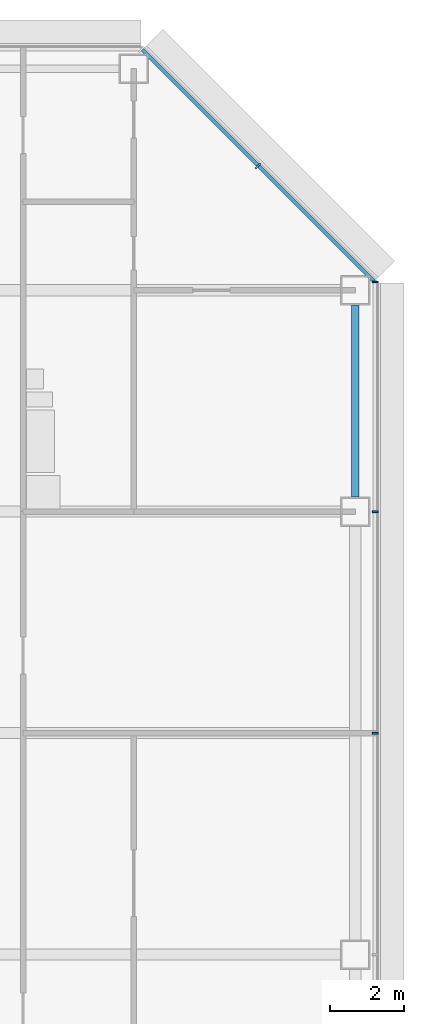
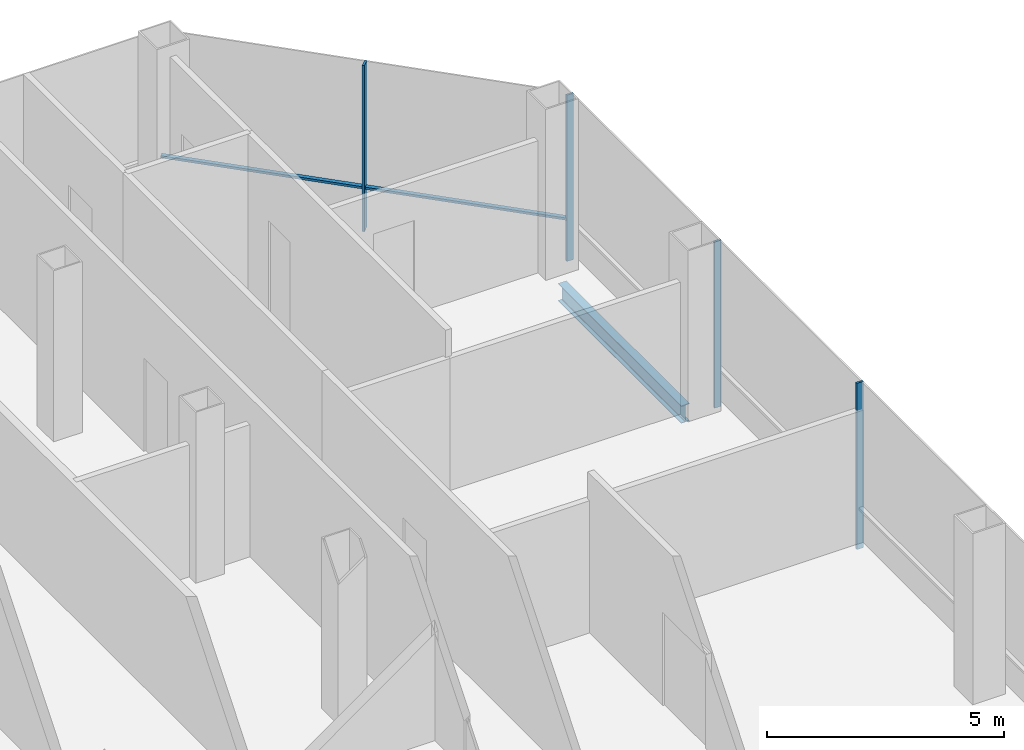
# One storey, part 17 of 28: 5 members, 1 beam, 2 elements without a shape of their own.
"""IFC4 building model written with IfcOpenShell, lengths in metres."""

from ifc_helpers import new_model, si_unit, direction, frame, origin, origin_2d, place, context, subcontext, project, spatial, rectangle, i_section, extrude, material, material_profile, profile_set, type_object, element, aggregate, save


model = new_model("IFC4")

# Units and contexts
model_context = context("Model", 3, precision=1e-05, world=origin(), true_north=direction((0.0, 1.0)))
body_context = subcontext(model_context, "Body", "Model", "MODEL_VIEW")
ifc_project = project(units=[si_unit("LENGTHUNIT", "METRE"), si_unit("AREAUNIT", "SQUARE_METRE"), si_unit("VOLUMEUNIT", "CUBIC_METRE"), si_unit("PLANEANGLEUNIT", "RADIAN"), si_unit("MASSUNIT", "GRAM", prefix="KILO")], contexts=[model_context])

# Site, building, storey
site_placement = place(None, origin())
site = spatial("IfcSite", under=ifc_project, at=site_placement, CompositionType="ELEMENT")
building_placement = place(site_placement, origin())
building = spatial("IfcBuilding", under=site, at=building_placement, Name="Sorahane Residences", CompositionType="ELEMENT")
storey_placement = place(building_placement, frame((0.0, 0.0, 134.0)))
storey = spatial("IfcBuildingStorey", under=building, at=storey_placement, Name="L30", CompositionType="ELEMENT", Elevation=134.0)

# Curtain wall, members
ifc_material_1 = material(Name="Dark low-e glass and black anodised aluminium", Category="aluminium")
curtain_wall_type_1 = type_object("IfcCurtainWallType", Name="Curtain wall CW-1 Typical unitised wall", PredefinedType="NOTDEFINED", material=ifc_material_1)
curtain_wall_1_placement = place(storey_placement, origin())
curtain_wall_1 = element("IfcCurtainWall", 1, at=curtain_wall_1_placement, inside=storey, type_object=curtain_wall_type_1, Name="CW-1 curtain wall L30 E2", PredefinedType="NOTDEFINED")
ifc_material_2 = material(Name="Black anodised aluminium", Category="aluminium")
ifc_material_profile_1 = material_profile(ifc_material_2, rectangle(XDim=0.159912109375, YDim=0.050048828125, at=origin_2d()), Name="Curtain wall mullion CW-1 black anodised aluminium 50x160")
ifc_profile_set_1 = profile_set([ifc_material_profile_1], Name="Black anodised aluminium")
member_type_1 = type_object("IfcMemberType", Name="Curtain wall mullion CW-1 black anodised aluminium 50x160", PredefinedType="MULLION", material=ifc_profile_set_1)
member_1_placement = place(storey_placement, frame((60.5400390625, 30.0, -0.179931640625), z_axis=(0.0, 0.0, 1.0), x_axis=(1.0, 0.0, 0.0)))
member_1 = element("IfcMember", 2, at=member_1_placement, type_object=member_type_1, Name="CW-1 mullion L30 E2.4", PredefinedType="MULLION", context=body_context, shape_type="SweptSolid", body=[
    extrude(rectangle(XDim=0.159912109375, YDim=0.050048828125, at=origin_2d()), origin(), (0.0, 0.0, 1.0), 4.280029296875),
])
member_2_placement = place(storey_placement, frame((60.5400390625, 36.0, -0.179931640625), z_axis=(0.0, 0.0, 1.0), x_axis=(1.0, 0.0, 0.0)))
member_2 = element("IfcMember", 3, at=member_2_placement, type_object=member_type_1, Name="CW-1 mullion L30 E2.5", PredefinedType="MULLION", context=body_context, shape_type="SweptSolid", body=[
    extrude(rectangle(XDim=0.159912109375, YDim=0.050048828125, at=origin_2d()), origin(), (0.0, 0.0, 1.0), 4.280029296875),
])
member_3_placement = place(storey_placement, frame((60.5400390625, 42.2236328125, -0.179931640625), z_axis=(0.0, 0.0, 1.0), x_axis=(1.0, 0.0, 0.0)))
member_3 = element("IfcMember", 4, at=member_3_placement, type_object=member_type_1, Name="CW-1 mullion L30 E2.6", PredefinedType="MULLION", context=body_context, shape_type="SweptSolid", body=[
    extrude(rectangle(XDim=0.159912109375, YDim=0.050048828125, at=origin_2d()), origin(), (0.0, 0.0, 1.0), 4.280029296875),
])
aggregate(curtain_wall_1, [member_1, member_2, member_3])

ifc_material_3 = material(Name="Dark low-e glass and black anodised aluminium", Category="aluminium")
curtain_wall_type_2 = type_object("IfcCurtainWallType", Name="Curtain wall CW-2 Chamfer unitised wall", PredefinedType="NOTDEFINED", material=ifc_material_3)
curtain_wall_2_placement = place(storey_placement, origin())
curtain_wall_2 = element("IfcCurtainWall", 5, at=curtain_wall_2_placement, inside=storey, type_object=curtain_wall_type_2, Name="CW-2 curtain wall L30 NE1", PredefinedType="NOTDEFINED")
ifc_material_4 = material(Name="Black anodised aluminium", Category="aluminium")
ifc_material_profile_2 = material_profile(ifc_material_4, rectangle(XDim=0.199951171875, YDim=0.050048828125, at=origin_2d()), Name="Curtain wall mullion CW-2 black anodised aluminium 50x200")
ifc_profile_set_2 = profile_set([ifc_material_profile_2], Name="Black anodised aluminium")
member_type_2 = type_object("IfcMemberType", Name="Curtain wall mullion CW-2 black anodised aluminium 50x200", PredefinedType="MULLION", material=ifc_profile_set_2)
member_4_placement = place(storey_placement, frame((57.36767578125, 45.36767578125, -0.179931640625), z_axis=(0.0, 0.0, 1.0), x_axis=(0.707106781187, 0.707106781187, 0.0)))
member_4 = element("IfcMember", 6, at=member_4_placement, type_object=member_type_2, Name="CW-2 mullion L30 NE1.2", PredefinedType="MULLION", context=body_context, shape_type="SweptSolid", body=[
    extrude(rectangle(XDim=0.199951171875, YDim=0.050048828125, at=origin_2d()), origin(), (0.0, 0.0, 1.0), 4.280029296875),
])
ifc_material_5 = material(Name="Black anodised aluminium", Category="aluminium")
ifc_material_profile_3 = material_profile(ifc_material_5, rectangle(XDim=0.10009765625, YDim=0.06005859375, at=origin_2d()), Name="Curtain wall transom CW-2 black anodised aluminium 60x100")
ifc_profile_set_3 = profile_set([ifc_material_profile_3], Name="Black anodised aluminium")
member_type_3 = type_object("IfcMemberType", Name="Curtain wall transom CW-2 black anodised aluminium 60x100", PredefinedType="USERDEFINED", material=ifc_profile_set_3)
member_5_placement = place(storey_placement, frame((60.51513671875, 42.234375, 0.89990234375), z_axis=(-0.707106781187, 0.707106781187, 0.0), x_axis=(-0.707106781187, -0.707106781187, 0.0)))
member_5 = element("IfcMember", 7, at=member_5_placement, type_object=member_type_3, Name="CW-2 transom L30 NE1", ObjectType="TRANSOM", PredefinedType="USERDEFINED", context=body_context, shape_type="SweptSolid", body=[
    extrude(rectangle(XDim=0.10009765625, YDim=0.06005859375, at=origin_2d()), origin(), (0.0, 0.0, 1.0), 8.88232421875),
])
aggregate(curtain_wall_2, [member_4, member_5])

# Beam
ifc_material_6 = material(Name="Steel Q355B", Category="steel")
ifc_material_profile_4 = material_profile(ifc_material_6, i_section(OverallWidth=0.199951171875, OverallDepth=0.449951171875, WebThickness=0.009033203125, FlangeThickness=0.013916015625, FilletRadius=0.02001953125, at=origin_2d()), Name="HN 450x200x9x14")
ifc_profile_set_4 = profile_set([ifc_material_profile_4], Name="Steel Q355B")
beam_type = type_object("IfcBeamType", Name="Steel floor beam HN 450x200x9x14 Q355B", PredefinedType="BEAM", material=ifc_profile_set_4)
beam_placement = place(storey_placement, frame((60.0, 36.39990234375, -0.405029296875), z_axis=(0.0, 1.0, 0.0), x_axis=(-1.0, 0.0, 0.0)))
element("IfcBeam", 8, at=beam_placement, inside=storey, type_object=beam_type, Name="Beam L30 066", PredefinedType="BEAM", context=body_context, shape_type="SweptSolid", body=[
    extrude(i_section(OverallWidth=0.199951171875, OverallDepth=0.449951171875, WebThickness=0.009033203125, FlangeThickness=0.013916015625, FilletRadius=0.02001953125, at=origin_2d()), origin(), (0.0, 0.0, 1.0), 5.2001953125),
])

save(model, "model.ifc")
